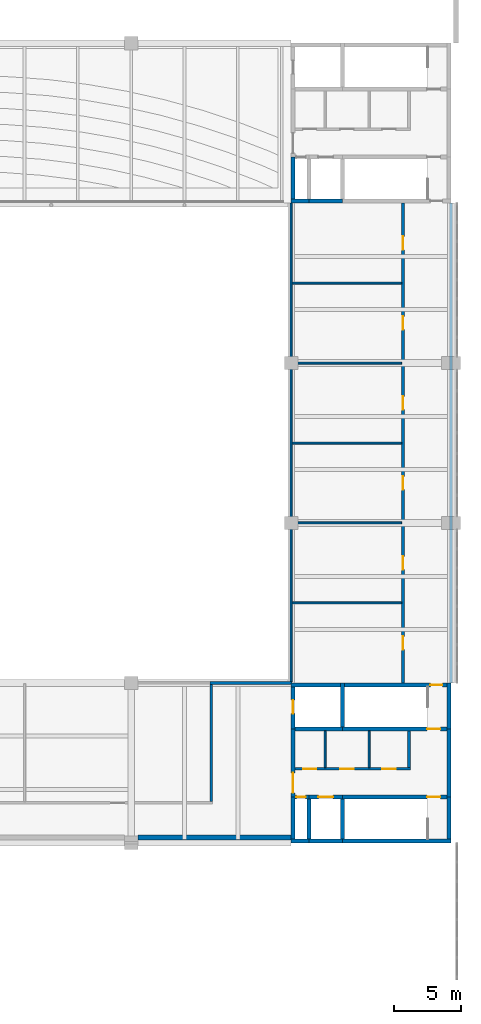
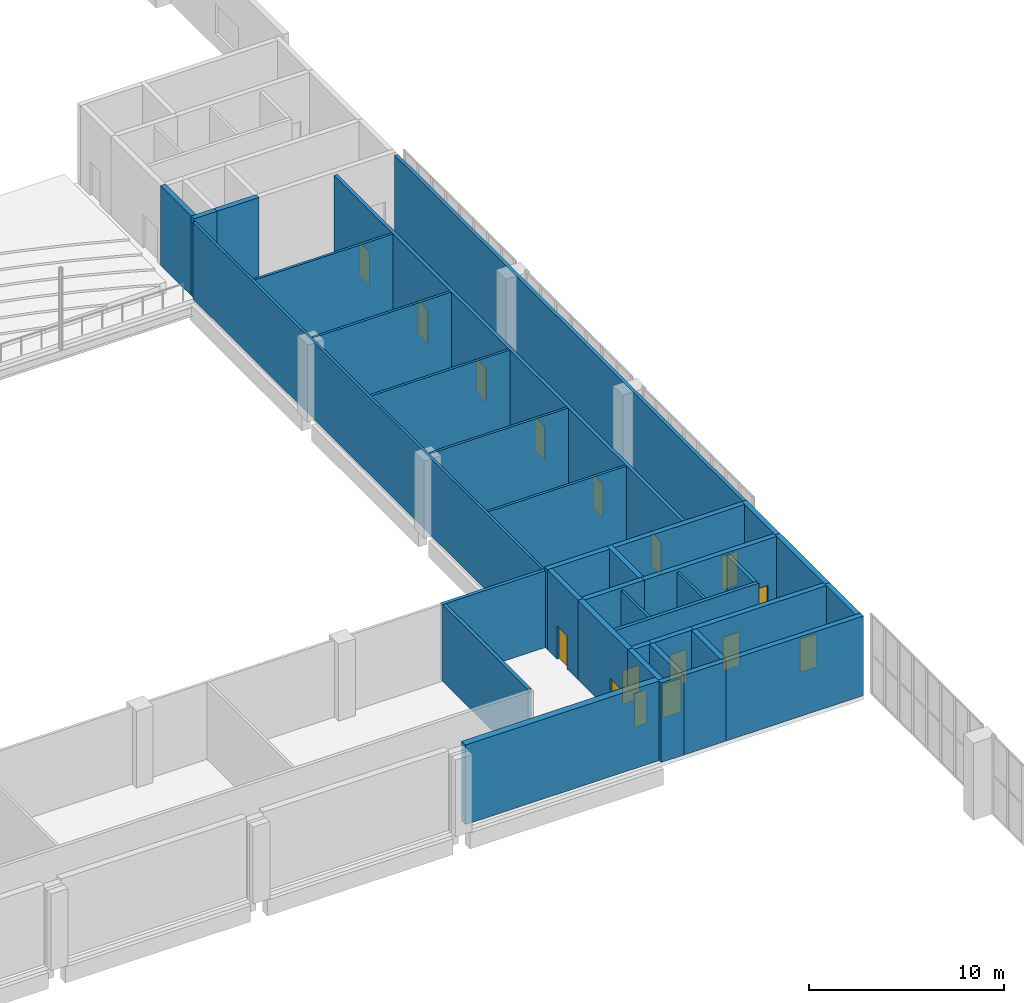
# One storey, part 56 of 69: 37 walls, 16 doors, 16 openings.
"""IFC4 building model written with IfcOpenShell, lengths in metres."""

from ifc_helpers import new_model, si_unit, direction, frame, frame_2d, origin, place, context, subcontext, project, spatial, rectangle, extrude, material, layer, layer_set, type_object, element, fill, save


model = new_model("IFC4")

# Units and contexts
model_context = context("Model", 3, precision=1e-05, world=origin(), true_north=direction((0.0, 1.0)))
body_context = subcontext(model_context, "Body", "Model", "MODEL_VIEW")
ifc_project = project(units=[si_unit("LENGTHUNIT", "METRE"), si_unit("AREAUNIT", "SQUARE_METRE"), si_unit("VOLUMEUNIT", "CUBIC_METRE"), si_unit("PLANEANGLEUNIT", "RADIAN"), si_unit("MASSUNIT", "GRAM", prefix="KILO")], contexts=[model_context])

# Site, building, storey
site_placement = place(None, origin())
site = spatial("IfcSite", under=ifc_project, at=site_placement, CompositionType="ELEMENT")
building_placement = place(site_placement, origin())
building = spatial("IfcBuilding", under=site, at=building_placement, Name="Lilac Gate Convention Centre", CompositionType="ELEMENT")
storey_placement = place(building_placement, frame((0.0, 0.0, 12.0)))
storey = spatial("IfcBuildingStorey", under=building, at=storey_placement, Name="L02", CompositionType="ELEMENT", Elevation=12.0)

# Walls
ifc_material_1 = material(Name="Concrete C30", Category="concrete")
ifc_layer_1 = layer(ifc_material_1, 0.39990234375)
ifc_layer_set_1 = layer_set([ifc_layer_1], Name="Concrete C30")
wall_type_1 = type_object("IfcWallType", Name="Hall fire wall 400", PredefinedType="SOLIDWALL", material=ifc_layer_set_1)
wall_1_placement = place(storey_placement, frame((66.5, 102.39990234375, 0.0), z_axis=(0.0, 0.0, 1.0), x_axis=(1.0, 0.0, 0.0)))
element("IfcWall", 1, at=wall_1_placement, inside=storey, type_object=wall_type_1, Name="Fire wall exhibition hall HN L02 4", PredefinedType="SOLIDWALL", context=body_context, shape_type="SweptSolid", body=[
    extrude(rectangle(XDim=11.5, YDim=0.39990234375, at=frame_2d((5.75, 0.0))), origin(), (0.0, 0.0, 1.0), 5.0),
])
ifc_material_2 = material(Name="Fire-rated gypsum board on steel stud", Category="steel")
ifc_layer_2 = layer(ifc_material_2, 0.14990234375)
ifc_layer_set_2 = layer_set([ifc_layer_2], Name="Fire-rated gypsum board on steel stud")
wall_type_2 = type_object("IfcWallType", Name="Partition 150 fire-rated gypsum board EI 60", PredefinedType="PARTITIONING", material=ifc_layer_set_2)
for number, where, z_axis, x_axis, name in (
    (2, (78.074951171875, 120.0, 0.0), (0.0, 0.0, 1.0), (1.0, 0.0, 0.0), "Partition 150 fire-rated gypsum board EI 60"),
    (3, (78.074951171875, 126.0, 0.0), (0.0, 0.0, 1.0), (1.0, 0.0, 0.0), "Partition 150 fire-rated gypsum board EI 60"),
    (4, (78.074951171875, 132.0, 0.0), (0.0, 0.0, 1.0), (1.0, 0.0, 0.0), "Partition 150 fire-rated gypsum board EI 60"),
    (5, (78.074951171875, 138.0, 0.0), (0.0, 0.0, 1.0), (1.0, 0.0, 0.0), "Partition 150 fire-rated gypsum board EI 60"),
    (6, (78.074951171875, 144.0, 0.0), (0.0, 0.0, 1.0), (1.0, 0.0, 0.0), "Partition 150 fire-rated gypsum board EI 60"),
):
    element("IfcWall", number, at=place(storey_placement, frame(where, z_axis=z_axis, x_axis=x_axis)), inside=storey, type_object=wall_type_2, Name=name, PredefinedType="PARTITIONING", context=body_context, shape_type="SweptSolid", body=[
        extrude(rectangle(XDim=8.22509765625, YDim=0.14990234375, at=frame_2d((4.112548828125, 0.0))), origin(), (0.0, 0.0, 1.0), 4.824951171875),
    ])
wall_2_placement = place(storey_placement, frame((78.0, 114.10009765625, 0.0), z_axis=(0.0, 0.0, 1.0), x_axis=(0.0, 1.0, 0.0)))
element("IfcWall", 7, at=wall_2_placement, inside=storey, type_object=wall_type_2, Name="Partition 150 fire-rated gypsum board EI 60", PredefinedType="PARTITIONING", context=body_context, shape_type="SweptSolid", body=[
    extrude(rectangle(XDim=35.89990234375, YDim=0.14990234375, at=frame_2d((17.949951171875, 0.0))), origin(), (0.0, 0.0, 1.0), 4.824951171875),
])
for number, where, z_axis, x_axis, name in (
    (8, (80.550048828125, 107.64990234375, 0.0), (0.0, 0.0, 1.0), (0.0, 1.0, 0.0), "Partition 150 fire-rated gypsum board EI 60"),
    (9, (83.85009765625, 107.64990234375, 0.0), (0.0, 0.0, 1.0), (0.0, 1.0, 0.0), "Partition 150 fire-rated gypsum board EI 60"),
):
    element("IfcWall", number, at=place(storey_placement, frame(where, z_axis=z_axis, x_axis=x_axis)), inside=storey, type_object=wall_type_2, Name=name, PredefinedType="PARTITIONING", context=body_context, shape_type="SweptSolid", body=[
        extrude(rectangle(XDim=2.75, YDim=0.14990234375, at=frame_2d((1.375, 0.0))), origin(), (0.0, 0.0, 1.0), 4.824951171875),
    ])

# Wall, openings, doors
ifc_material_3 = material(Name="Clay brick masonry", Category="masonry")
ifc_layer_3 = layer(ifc_material_3, 0.199951171875)
ifc_layer_set_3 = layer_set([ifc_layer_3], Name="Clay brick masonry")
wall_type_3 = type_object("IfcWallType", Name="Partition 200 brick EI 60", PredefinedType="PARTITIONING", material=ifc_layer_set_3)
wall_3_placement = place(storey_placement, frame((78.300048828125, 107.550048828125, 0.0), z_axis=(0.0, 0.0, 1.0), x_axis=(1.0, 0.0, 0.0)))
wall_3 = element("IfcWall", 10, at=wall_3_placement, inside=storey, type_object=wall_type_3, Name="Partition 200 brick EI 60", PredefinedType="PARTITIONING", context=body_context, shape_type="SweptSolid", body=[
    extrude(rectangle(XDim=8.64990234375, YDim=0.199951171875, at=frame_2d((4.324951171875, 0.0))), origin(), (0.0, 0.0, 1.0), 4.824951171875),
])
opening_1_placement = place(wall_3_placement, frame((0.60009765625, 0.0, 0.0)))
opening_1 = element("IfcOpeningElement", 11, at=opening_1_placement, cuts=wall_3, Name="Opening L02-033", PredefinedType="OPENING", context=body_context, shape_type="SweptSolid", body=[
    extrude(rectangle(XDim=1.0, YDim=2.10009765625, at=frame_2d((0.5, 1.050048828125))), frame((0.0, 0.10986328125, 0.0), z_axis=(0.0, -1.0, 0.0), x_axis=(1.0, 0.0, 0.0)), (0.0, 0.0, 1.0), 0.219970703125),
])
opening_2_placement = place(wall_3_placement, frame((3.39990234375, 0.0, 0.0)))
opening_2 = element("IfcOpeningElement", 12, at=opening_2_placement, cuts=wall_3, Name="Opening L02-034", PredefinedType="OPENING", context=body_context, shape_type="SweptSolid", body=[
    extrude(rectangle(XDim=1.0, YDim=2.10009765625, at=frame_2d((0.5, 1.050048828125))), frame((0.0, 0.10986328125, 0.0), z_axis=(0.0, -1.0, 0.0), x_axis=(1.0, 0.0, 0.0)), (0.0, 0.0, 1.0), 0.219970703125),
])
opening_3_placement = place(wall_3_placement, frame((6.550048828125, 0.0, 0.0)))
opening_3 = element("IfcOpeningElement", 13, at=opening_3_placement, cuts=wall_3, Name="Opening L02-035", PredefinedType="OPENING", context=body_context, shape_type="SweptSolid", body=[
    extrude(rectangle(XDim=1.0, YDim=2.10009765625, at=frame_2d((0.5, 1.050048828125))), frame((0.0, 0.10986328125, 0.0), z_axis=(0.0, -1.0, 0.0), x_axis=(1.0, 0.0, 0.0)), (0.0, 0.0, 1.0), 0.219970703125),
])
ifc_material_4 = material(Name="Timber fire door leaf", Category="wood")
door_type_1 = type_object("IfcDoorType", Name="Door 1000 x 2100 single leaf FD30", OperationType="SINGLE_SWING_LEFT", PredefinedType="DOOR", material=ifc_material_4)
door_1_placement = place(opening_1_placement, origin())
door_1 = element("IfcDoor", 14, at=door_1_placement, inside=storey, type_object=door_type_1, Name="Accessible WC door L02-033", OperationType="SINGLE_SWING_RIGHT", OverallHeight=2.10009765625, OverallWidth=1.0, PredefinedType="DOOR", context=body_context, shape_type="SweptSolid", body=[
    extrude(rectangle(XDim=1.0, YDim=2.10009765625, at=frame_2d((0.5, 1.050048828125))), frame((0.0, 0.02490234375, 0.0), z_axis=(0.0, -1.0, 0.0), x_axis=(1.0, 0.0, 0.0)), (0.0, 0.0, 1.0), 0.050048828125),
])
fill(opening_1, door_1)
door_2_placement = place(opening_2_placement, origin())
door_2 = element("IfcDoor", 15, at=door_2_placement, inside=storey, type_object=door_type_1, Name="WC door L02-034", OperationType="SINGLE_SWING_LEFT", OverallHeight=2.10009765625, OverallWidth=1.0, PredefinedType="DOOR", context=body_context, shape_type="SweptSolid", body=[
    extrude(rectangle(XDim=1.0, YDim=2.10009765625, at=frame_2d((0.5, 1.050048828125))), frame((0.0, 0.02490234375, 0.0), z_axis=(0.0, -1.0, 0.0), x_axis=(1.0, 0.0, 0.0)), (0.0, 0.0, 1.0), 0.050048828125),
])
fill(opening_2, door_2)
door_3_placement = place(opening_3_placement, origin())
door_3 = element("IfcDoor", 16, at=door_3_placement, inside=storey, type_object=door_type_1, Name="WC door L02-035", OperationType="SINGLE_SWING_RIGHT", OverallHeight=2.10009765625, OverallWidth=1.0, PredefinedType="DOOR", context=body_context, shape_type="SweptSolid", body=[
    extrude(rectangle(XDim=1.0, YDim=2.10009765625, at=frame_2d((0.5, 1.050048828125))), frame((0.0, 0.02490234375, 0.0), z_axis=(0.0, -1.0, 0.0), x_axis=(1.0, 0.0, 0.0)), (0.0, 0.0, 1.0), 0.050048828125),
])
fill(opening_3, door_3)

# Walls
wall_4_placement = place(storey_placement, frame((71.89990234375, 114.0, 0.0), z_axis=(0.0, 0.0, 1.0), x_axis=(1.0, 0.0, 0.0)))
element("IfcWall", 17, at=wall_4_placement, inside=storey, type_object=wall_type_3, Name="Partition 200 brick EI 60", PredefinedType="PARTITIONING", context=body_context, shape_type="SweptSolid", body=[
    extrude(rectangle(XDim=6.175048828125, YDim=0.199951171875, at=frame_2d((3.08740234375, 0.0))), origin(), (0.0, 0.0, 1.0), 4.824951171875),
])
wall_5_placement = place(storey_placement, frame((72.0, 105.10009765625, 0.0), z_axis=(0.0, 0.0, 1.0), x_axis=(0.0, 1.0, 0.0)))
element("IfcWall", 18, at=wall_5_placement, inside=storey, type_object=wall_type_3, Name="Partition 200 brick EI 60", PredefinedType="PARTITIONING", context=body_context, shape_type="SweptSolid", body=[
    extrude(rectangle(XDim=8.7998046875, YDim=0.199951171875, at=frame_2d((4.39990234375, 0.0))), origin(), (0.0, 0.0, 1.0), 4.824951171875),
])

# Wall, openings, doors
wall_6_placement = place(storey_placement, frame((86.39990234375, 114.0, 0.0), z_axis=(0.0, 0.0, 1.0), x_axis=(0.0, 1.0, 0.0)))
wall_6 = element("IfcWall", 19, at=wall_6_placement, inside=storey, type_object=wall_type_3, Name="Partition 200 brick EI 60", PredefinedType="PARTITIONING", context=body_context, shape_type="SweptSolid", body=[
    extrude(rectangle(XDim=36.0, YDim=0.199951171875, at=frame_2d((18.0, 0.0))), origin(), (0.0, 0.0, 1.0), 4.824951171875),
])
opening_4_placement = place(wall_6_placement, frame((2.5, 0.0, 0.0)))
opening_4 = element("IfcOpeningElement", 20, at=opening_4_placement, cuts=wall_6, Name="Opening L02-041", PredefinedType="OPENING", context=body_context, shape_type="SweptSolid", body=[
    extrude(rectangle(XDim=1.0, YDim=2.10009765625, at=frame_2d((0.5, 1.050048828125))), frame((0.0, 0.10986328125, 0.0), z_axis=(0.0, -1.0, 0.0), x_axis=(1.0, 0.0, 0.0)), (0.0, 0.0, 1.0), 0.219970703125),
])
opening_5_placement = place(wall_6_placement, frame((8.5, 0.0, 0.0)))
opening_5 = element("IfcOpeningElement", 21, at=opening_5_placement, cuts=wall_6, Name="Opening L02-043", PredefinedType="OPENING", context=body_context, shape_type="SweptSolid", body=[
    extrude(rectangle(XDim=1.0, YDim=2.10009765625, at=frame_2d((0.5, 1.050048828125))), frame((0.0, 0.10986328125, 0.0), z_axis=(0.0, -1.0, 0.0), x_axis=(1.0, 0.0, 0.0)), (0.0, 0.0, 1.0), 0.219970703125),
])
opening_6_placement = place(wall_6_placement, frame((14.5, 0.0, 0.0)))
opening_6 = element("IfcOpeningElement", 22, at=opening_6_placement, cuts=wall_6, Name="Opening L02-045", PredefinedType="OPENING", context=body_context, shape_type="SweptSolid", body=[
    extrude(rectangle(XDim=1.0, YDim=2.10009765625, at=frame_2d((0.5, 1.050048828125))), frame((0.0, 0.10986328125, 0.0), z_axis=(0.0, -1.0, 0.0), x_axis=(1.0, 0.0, 0.0)), (0.0, 0.0, 1.0), 0.219970703125),
])
opening_7_placement = place(wall_6_placement, frame((20.5, 0.0, 0.0)))
opening_7 = element("IfcOpeningElement", 23, at=opening_7_placement, cuts=wall_6, Name="Opening L02-047", PredefinedType="OPENING", context=body_context, shape_type="SweptSolid", body=[
    extrude(rectangle(XDim=1.0, YDim=2.10009765625, at=frame_2d((0.5, 1.050048828125))), frame((0.0, 0.10986328125, 0.0), z_axis=(0.0, -1.0, 0.0), x_axis=(1.0, 0.0, 0.0)), (0.0, 0.0, 1.0), 0.219970703125),
])
opening_8_placement = place(wall_6_placement, frame((26.5, 0.0, 0.0)))
opening_8 = element("IfcOpeningElement", 24, at=opening_8_placement, cuts=wall_6, Name="Opening L02-049", PredefinedType="OPENING", context=body_context, shape_type="SweptSolid", body=[
    extrude(rectangle(XDim=1.0, YDim=2.10009765625, at=frame_2d((0.5, 1.050048828125))), frame((0.0, 0.10986328125, 0.0), z_axis=(0.0, -1.0, 0.0), x_axis=(1.0, 0.0, 0.0)), (0.0, 0.0, 1.0), 0.219970703125),
])
opening_9_placement = place(wall_6_placement, frame((32.5, 0.0, 0.0)))
opening_9 = element("IfcOpeningElement", 25, at=opening_9_placement, cuts=wall_6, Name="Opening L02-051", PredefinedType="OPENING", context=body_context, shape_type="SweptSolid", body=[
    extrude(rectangle(XDim=1.0, YDim=2.10009765625, at=frame_2d((0.5, 1.050048828125))), frame((0.0, 0.10986328125, 0.0), z_axis=(0.0, -1.0, 0.0), x_axis=(1.0, 0.0, 0.0)), (0.0, 0.0, 1.0), 0.219970703125),
])
door_4_placement = place(opening_4_placement, origin())
door_4 = element("IfcDoor", 26, at=door_4_placement, inside=storey, type_object=door_type_1, Name="Office door L02-041", OperationType="SINGLE_SWING_RIGHT", OverallHeight=2.10009765625, OverallWidth=1.0, PredefinedType="DOOR", context=body_context, shape_type="SweptSolid", body=[
    extrude(rectangle(XDim=1.0, YDim=2.10009765625, at=frame_2d((0.5, 1.050048828125))), frame((0.0, 0.02490234375, 0.0), z_axis=(0.0, -1.0, 0.0), x_axis=(1.0, 0.0, 0.0)), (0.0, 0.0, 1.0), 0.050048828125),
])
fill(opening_4, door_4)
door_5_placement = place(opening_5_placement, origin())
door_5 = element("IfcDoor", 27, at=door_5_placement, inside=storey, type_object=door_type_1, Name="Office door L02-043", OperationType="SINGLE_SWING_RIGHT", OverallHeight=2.10009765625, OverallWidth=1.0, PredefinedType="DOOR", context=body_context, shape_type="SweptSolid", body=[
    extrude(rectangle(XDim=1.0, YDim=2.10009765625, at=frame_2d((0.5, 1.050048828125))), frame((0.0, 0.02490234375, 0.0), z_axis=(0.0, -1.0, 0.0), x_axis=(1.0, 0.0, 0.0)), (0.0, 0.0, 1.0), 0.050048828125),
])
fill(opening_5, door_5)
door_6_placement = place(opening_6_placement, origin())
door_6 = element("IfcDoor", 28, at=door_6_placement, inside=storey, type_object=door_type_1, Name="Office door L02-045", OperationType="SINGLE_SWING_RIGHT", OverallHeight=2.10009765625, OverallWidth=1.0, PredefinedType="DOOR", context=body_context, shape_type="SweptSolid", body=[
    extrude(rectangle(XDim=1.0, YDim=2.10009765625, at=frame_2d((0.5, 1.050048828125))), frame((0.0, 0.02490234375, 0.0), z_axis=(0.0, -1.0, 0.0), x_axis=(1.0, 0.0, 0.0)), (0.0, 0.0, 1.0), 0.050048828125),
])
fill(opening_6, door_6)
door_7_placement = place(opening_7_placement, origin())
door_7 = element("IfcDoor", 29, at=door_7_placement, inside=storey, type_object=door_type_1, Name="Office door L02-047", OperationType="SINGLE_SWING_RIGHT", OverallHeight=2.10009765625, OverallWidth=1.0, PredefinedType="DOOR", context=body_context, shape_type="SweptSolid", body=[
    extrude(rectangle(XDim=1.0, YDim=2.10009765625, at=frame_2d((0.5, 1.050048828125))), frame((0.0, 0.02490234375, 0.0), z_axis=(0.0, -1.0, 0.0), x_axis=(1.0, 0.0, 0.0)), (0.0, 0.0, 1.0), 0.050048828125),
])
fill(opening_7, door_7)
door_8_placement = place(opening_8_placement, origin())
door_8 = element("IfcDoor", 30, at=door_8_placement, inside=storey, type_object=door_type_1, Name="Office door L02-049", OperationType="SINGLE_SWING_RIGHT", OverallHeight=2.10009765625, OverallWidth=1.0, PredefinedType="DOOR", context=body_context, shape_type="SweptSolid", body=[
    extrude(rectangle(XDim=1.0, YDim=2.10009765625, at=frame_2d((0.5, 1.050048828125))), frame((0.0, 0.02490234375, 0.0), z_axis=(0.0, -1.0, 0.0), x_axis=(1.0, 0.0, 0.0)), (0.0, 0.0, 1.0), 0.050048828125),
])
fill(opening_8, door_8)
door_9_placement = place(opening_9_placement, origin())
door_9 = element("IfcDoor", 31, at=door_9_placement, inside=storey, type_object=door_type_1, Name="Office door L02-051", OperationType="SINGLE_SWING_RIGHT", OverallHeight=2.10009765625, OverallWidth=1.0, PredefinedType="DOOR", context=body_context, shape_type="SweptSolid", body=[
    extrude(rectangle(XDim=1.0, YDim=2.10009765625, at=frame_2d((0.5, 1.050048828125))), frame((0.0, 0.02490234375, 0.0), z_axis=(0.0, -1.0, 0.0), x_axis=(1.0, 0.0, 0.0)), (0.0, 0.0, 1.0), 0.050048828125),
])
fill(opening_9, door_9)

# Walls
wall_7_placement = place(storey_placement, frame((86.85009765625, 107.64990234375, 0.0), z_axis=(0.0, 0.0, 1.0), x_axis=(0.0, 1.0, 0.0)))
element("IfcWall", 32, at=wall_7_placement, inside=storey, type_object=wall_type_3, Name="Partition 200 brick EI 60", PredefinedType="PARTITIONING", context=body_context, shape_type="SweptSolid", body=[
    extrude(rectangle(XDim=2.75, YDim=0.199951171875, at=frame_2d((1.375, 0.0))), origin(), (0.0, 0.0, 1.0), 4.824951171875),
])
wall_8_placement = place(storey_placement, frame((90.0, 114.0, 0.0), z_axis=(0.0, 0.0, 1.0), x_axis=(0.0, 1.0, 0.0)))
element("IfcWall", 33, at=wall_8_placement, inside=storey, type_object=wall_type_3, Name="Partition 200 brick EI 60", PredefinedType="PARTITIONING", context=body_context, shape_type="SweptSolid", body=[
    extrude(rectangle(XDim=36.0, YDim=0.199951171875, at=frame_2d((18.0, 0.0))), origin(), (0.0, 0.0, 1.0), 4.824951171875),
])
ifc_material_5 = material(Name="Concrete C40", Category="concrete")
ifc_layer_4 = layer(ifc_material_5, 0.300048828125)
ifc_layer_set_4 = layer_set([ifc_layer_4], Name="Concrete C40")
wall_type_4 = type_object("IfcWallType", Name="Shear wall 300 C40", PredefinedType="SHEAR", material=ifc_layer_set_4)
wall_9_placement = place(storey_placement, frame((90.0, 102.14990234375, 0.0), z_axis=(0.0, 0.0, 1.0), x_axis=(-1.0, 0.0, 0.0)))
element("IfcWall", 34, at=wall_9_placement, inside=storey, type_object=wall_type_4, Name="SW1 shear wall E1 L02 1", PredefinedType="SHEAR", context=body_context, shape_type="SweptSolid", body=[
    extrude(rectangle(XDim=8.14990234375, YDim=0.300048828125, at=frame_2d((4.074951171875, 0.0))), origin(), (0.0, 0.0, 1.0), 5.0),
])
wall_10_placement = place(storey_placement, frame((81.85009765625, 102.14990234375, 0.0), z_axis=(0.0, 0.0, 1.0), x_axis=(-1.0, 0.0, 0.0)))
element("IfcWall", 35, at=wall_10_placement, inside=storey, type_object=wall_type_4, Name="SW1 shear wall E1 L02 2", PredefinedType="SHEAR", context=body_context, shape_type="SweptSolid", body=[
    extrude(rectangle(XDim=2.5, YDim=0.300048828125, at=frame_2d((1.25, 0.0))), origin(), (0.0, 0.0, 1.0), 5.0),
])
wall_11_placement = place(storey_placement, frame((79.35009765625, 102.14990234375, 0.0), z_axis=(0.0, 0.0, 1.0), x_axis=(-1.0, 0.0, 0.0)))
element("IfcWall", 36, at=wall_11_placement, inside=storey, type_object=wall_type_4, Name="SW1 shear wall E1 L02 3", PredefinedType="SHEAR", context=body_context, shape_type="SweptSolid", body=[
    extrude(rectangle(XDim=1.35009765625, YDim=0.300048828125, at=frame_2d((0.675048828125, 0.0))), origin(), (0.0, 0.0, 1.0), 5.0),
])

# Wall, opening, door
wall_12_placement = place(storey_placement, frame((90.0, 113.85009765625, 0.0), z_axis=(0.0, 0.0, 1.0), x_axis=(-1.0, 0.0, 0.0)))
wall_12 = element("IfcWall", 37, at=wall_12_placement, inside=storey, type_object=wall_type_4, Name="SW1 shear wall E1 L02 4", PredefinedType="SHEAR", context=body_context, shape_type="SweptSolid", body=[
    extrude(rectangle(XDim=8.14990234375, YDim=0.300048828125, at=frame_2d((4.074951171875, 0.0))), origin(), (0.0, 0.0, 1.0), 5.0),
])
opening_10_placement = place(wall_12_placement, frame((0.64990234375, 0.0, 0.0)))
opening_10 = element("IfcOpeningElement", 38, at=opening_10_placement, cuts=wall_12, Name="Opening L02-039", PredefinedType="OPENING", context=body_context, shape_type="SweptSolid", body=[
    extrude(rectangle(XDim=0.89990234375, YDim=2.10009765625, at=frame_2d((0.449951171875, 1.050048828125))), frame((0.0, 0.159912109375, 0.0), z_axis=(0.0, -1.0, 0.0), x_axis=(1.0, 0.0, 0.0)), (0.0, 0.0, 1.0), 0.320068359375),
])
door_type_2 = type_object("IfcDoorType", Name="Door 900 x 2100 single leaf FD60", OperationType="SINGLE_SWING_LEFT", PredefinedType="DOOR", material=ifc_material_4)
door_10_placement = place(opening_10_placement, origin())
door_10 = element("IfcDoor", 39, at=door_10_placement, inside=storey, type_object=door_type_2, Name="Stair door L02-039", OperationType="SINGLE_SWING_RIGHT", OverallHeight=2.10009765625, OverallWidth=0.89990234375, PredefinedType="DOOR", context=body_context, shape_type="SweptSolid", body=[
    extrude(rectangle(XDim=0.89990234375, YDim=2.10009765625, at=frame_2d((0.449951171875, 1.050048828125))), frame((0.0, 0.02490234375, 0.0), z_axis=(0.0, -1.0, 0.0), x_axis=(1.0, 0.0, 0.0)), (0.0, 0.0, 1.0), 0.050048828125),
])
fill(opening_10, door_10)

# Wall
wall_13_placement = place(storey_placement, frame((81.85009765625, 113.85009765625, 0.0), z_axis=(0.0, 0.0, 1.0), x_axis=(-1.0, 0.0, 0.0)))
element("IfcWall", 40, at=wall_13_placement, inside=storey, type_object=wall_type_4, Name="SW1 shear wall E1 L02 5", PredefinedType="SHEAR", context=body_context, shape_type="SweptSolid", body=[
    extrude(rectangle(XDim=3.85009765625, YDim=0.300048828125, at=frame_2d((1.925048828125, 0.0))), origin(), (0.0, 0.0, 1.0), 5.0),
])

# Wall, opening, door
wall_14_placement = place(storey_placement, frame((89.699951171875, 105.449951171875, 0.0), z_axis=(0.0, 0.0, 1.0), x_axis=(-1.0, 0.0, 0.0)))
wall_14 = element("IfcWall", 41, at=wall_14_placement, inside=storey, type_object=wall_type_4, Name="SW1 shear wall E1 L02 6", PredefinedType="SHEAR", context=body_context, shape_type="SweptSolid", body=[
    extrude(rectangle(XDim=7.849853515625, YDim=0.300048828125, at=frame_2d((3.9248046875, 0.0))), origin(), (0.0, 0.0, 1.0), 5.0),
])
opening_11_placement = place(wall_14_placement, frame((0.5, 0.0, 0.0)))
opening_11 = element("IfcOpeningElement", 42, at=opening_11_placement, cuts=wall_14, Name="Opening L02-031", PredefinedType="OPENING", context=body_context, shape_type="SweptSolid", body=[
    extrude(rectangle(XDim=1.0, YDim=2.10009765625, at=frame_2d((0.5, 1.050048828125))), frame((0.0, 0.159912109375, 0.0), z_axis=(0.0, -1.0, 0.0), x_axis=(1.0, 0.0, 0.0)), (0.0, 0.0, 1.0), 0.320068359375),
])
door_type_3 = type_object("IfcDoorType", Name="Door 1000 x 2100 single leaf FD60", OperationType="SINGLE_SWING_LEFT", PredefinedType="DOOR", material=ifc_material_4)
door_11_placement = place(opening_11_placement, origin())
door_11 = element("IfcDoor", 43, at=door_11_placement, inside=storey, type_object=door_type_3, Name="Stair door L02-031", OperationType="SINGLE_SWING_RIGHT", OverallHeight=2.10009765625, OverallWidth=1.0, PredefinedType="DOOR", context=body_context, shape_type="SweptSolid", body=[
    extrude(rectangle(XDim=1.0, YDim=2.10009765625, at=frame_2d((0.5, 1.050048828125))), frame((0.0, 0.02490234375, 0.0), z_axis=(0.0, -1.0, 0.0), x_axis=(1.0, 0.0, 0.0)), (0.0, 0.0, 1.0), 0.050048828125),
])
fill(opening_11, door_11)

wall_15_placement = place(storey_placement, frame((81.85009765625, 105.449951171875, 0.0), z_axis=(0.0, 0.0, 1.0), x_axis=(-1.0, 0.0, 0.0)))
wall_15 = element("IfcWall", 44, at=wall_15_placement, inside=storey, type_object=wall_type_4, Name="SW1 shear wall E1 L02 7", PredefinedType="SHEAR", context=body_context, shape_type="SweptSolid", body=[
    extrude(rectangle(XDim=2.5, YDim=0.300048828125, at=frame_2d((1.25, 0.0))), origin(), (0.0, 0.0, 1.0), 5.0),
])
opening_12_placement = place(wall_15_placement, frame((0.699951171875, 0.0, 0.0)))
opening_12 = element("IfcOpeningElement", 45, at=opening_12_placement, cuts=wall_15, Name="Opening LDE1-02", PredefinedType="OPENING", context=body_context, shape_type="SweptSolid", body=[
    extrude(rectangle(XDim=1.10009765625, YDim=2.10009765625, at=frame_2d((0.550048828125, 1.050048828125))), frame((0.0, 0.159912109375, 0.0), z_axis=(0.0, -1.0, 0.0), x_axis=(1.0, 0.0, 0.0)), (0.0, 0.0, 1.0), 0.320068359375),
])
ifc_material_6 = material(Name="Stainless steel 304", Category="steel")
door_type_4 = type_object("IfcDoorType", Name="Lift landing door 1100 x 2100", OperationType="SLIDING_TO_LEFT", PredefinedType="DOOR", material=ifc_material_6)
door_12_placement = place(opening_12_placement, origin())
door_12 = element("IfcDoor", 46, at=door_12_placement, inside=storey, type_object=door_type_4, Name="Lift landing door LDE1-02", OperationType="SLIDING_TO_LEFT", OverallHeight=2.10009765625, OverallWidth=1.10009765625, PredefinedType="DOOR", context=body_context, shape_type="SweptSolid", body=[
    extrude(rectangle(XDim=1.10009765625, YDim=2.10009765625, at=frame_2d((0.550048828125, 1.050048828125))), frame((0.0, 0.02490234375, 0.0), z_axis=(0.0, -1.0, 0.0), x_axis=(1.0, 0.0, 0.0)), (0.0, 0.0, 1.0), 0.050048828125),
])
fill(opening_12, door_12)

wall_16_placement = place(storey_placement, frame((79.35009765625, 105.449951171875, 0.0), z_axis=(0.0, 0.0, 1.0), x_axis=(-1.0, 0.0, 0.0)))
wall_16 = element("IfcWall", 47, at=wall_16_placement, inside=storey, type_object=wall_type_4, Name="SW1 shear wall E1 L02 8", PredefinedType="SHEAR", context=body_context, shape_type="SweptSolid", body=[
    extrude(rectangle(XDim=1.050048828125, YDim=0.300048828125, at=frame_2d((0.52490234375, 0.0))), origin(), (0.0, 0.0, 1.0), 5.0),
])
opening_13_placement = place(wall_16_placement, frame((0.25, 0.0, 0.0)))
opening_13 = element("IfcOpeningElement", 48, at=opening_13_placement, cuts=wall_16, Name="Opening L02-030", PredefinedType="OPENING", context=body_context, shape_type="SweptSolid", body=[
    extrude(rectangle(XDim=0.699951171875, YDim=2.10009765625, at=frame_2d((0.35009765625, 1.050048828125))), frame((0.0, 0.159912109375, 0.0), z_axis=(0.0, -1.0, 0.0), x_axis=(1.0, 0.0, 0.0)), (0.0, 0.0, 1.0), 0.320068359375),
])
door_type_5 = type_object("IfcDoorType", Name="Door 700 x 2100 single leaf FD30", OperationType="SINGLE_SWING_LEFT", PredefinedType="DOOR", material=ifc_material_4)
door_13_placement = place(opening_13_placement, origin())
door_13 = element("IfcDoor", 49, at=door_13_placement, inside=storey, type_object=door_type_5, Name="Riser access door L02-030", OperationType="SINGLE_SWING_LEFT", OverallHeight=2.10009765625, OverallWidth=0.699951171875, PredefinedType="DOOR", context=body_context, shape_type="SweptSolid", body=[
    extrude(rectangle(XDim=0.699951171875, YDim=2.10009765625, at=frame_2d((0.35009765625, 1.050048828125))), frame((0.0, 0.02490234375, 0.0), z_axis=(0.0, -1.0, 0.0), x_axis=(1.0, 0.0, 0.0)), (0.0, 0.0, 1.0), 0.050048828125),
])
fill(opening_13, door_13)

wall_17_placement = place(storey_placement, frame((89.699951171875, 110.550048828125, 0.0), z_axis=(0.0, 0.0, 1.0), x_axis=(-1.0, 0.0, 0.0)))
wall_17 = element("IfcWall", 50, at=wall_17_placement, inside=storey, type_object=wall_type_4, Name="SW1 shear wall E1 L02 9", PredefinedType="SHEAR", context=body_context, shape_type="SweptSolid", body=[
    extrude(rectangle(XDim=7.849853515625, YDim=0.300048828125, at=frame_2d((3.9248046875, 0.0))), origin(), (0.0, 0.0, 1.0), 5.0),
])
opening_14_placement = place(wall_17_placement, frame((0.5, 0.0, 0.0)))
opening_14 = element("IfcOpeningElement", 51, at=opening_14_placement, cuts=wall_17, Name="Opening L02-036", PredefinedType="OPENING", context=body_context, shape_type="SweptSolid", body=[
    extrude(rectangle(XDim=1.0, YDim=2.10009765625, at=frame_2d((0.5, 1.050048828125))), frame((0.0, 0.159912109375, 0.0), z_axis=(0.0, -1.0, 0.0), x_axis=(1.0, 0.0, 0.0)), (0.0, 0.0, 1.0), 0.320068359375),
])
door_14_placement = place(opening_14_placement, frame((1.0, 0.0, 0.0), z_axis=(0.0, 0.0, 1.0), x_axis=(-1.0, 0.0, 0.0)))
door_14 = element("IfcDoor", 52, at=door_14_placement, inside=storey, type_object=door_type_3, Name="Stair door L02-036", OperationType="SINGLE_SWING_LEFT", OverallHeight=2.10009765625, OverallWidth=1.0, PredefinedType="DOOR", context=body_context, shape_type="SweptSolid", body=[
    extrude(rectangle(XDim=1.0, YDim=2.10009765625, at=frame_2d((0.5, 1.050048828125))), frame((0.0, 0.02490234375, 0.0), z_axis=(0.0, -1.0, 0.0), x_axis=(1.0, 0.0, 0.0)), (0.0, 0.0, 1.0), 0.050048828125),
])
fill(opening_14, door_14)

# Walls
wall_18_placement = place(storey_placement, frame((81.85009765625, 110.550048828125, 0.0), z_axis=(0.0, 0.0, 1.0), x_axis=(-1.0, 0.0, 0.0)))
element("IfcWall", 53, at=wall_18_placement, inside=storey, type_object=wall_type_4, Name="SW1 shear wall E1 L02 10", PredefinedType="SHEAR", context=body_context, shape_type="SweptSolid", body=[
    extrude(rectangle(XDim=3.550048828125, YDim=0.300048828125, at=frame_2d((1.77490234375, 0.0))), origin(), (0.0, 0.0, 1.0), 5.0),
])
wall_19_placement = place(storey_placement, frame((89.85009765625, 102.300048828125, 0.0), z_axis=(0.0, 0.0, 1.0), x_axis=(0.0, 1.0, 0.0)))
element("IfcWall", 54, at=wall_19_placement, inside=storey, type_object=wall_type_4, Name="SW1 shear wall E1 L02 11", PredefinedType="SHEAR", context=body_context, shape_type="SweptSolid", body=[
    extrude(rectangle(XDim=3.14990234375, YDim=0.300048828125, at=frame_2d((1.574951171875, 0.0))), origin(), (0.0, 0.0, 1.0), 5.0),
])
wall_20_placement = place(storey_placement, frame((89.85009765625, 105.449951171875, 0.0), z_axis=(0.0, 0.0, 1.0), x_axis=(0.0, 1.0, 0.0)))
element("IfcWall", 55, at=wall_20_placement, inside=storey, type_object=wall_type_4, Name="SW1 shear wall E1 L02 12", PredefinedType="SHEAR", context=body_context, shape_type="SweptSolid", body=[
    extrude(rectangle(XDim=5.10009765625, YDim=0.300048828125, at=frame_2d((2.550048828125, 0.0))), origin(), (0.0, 0.0, 1.0), 5.0),
])
wall_21_placement = place(storey_placement, frame((89.85009765625, 110.550048828125, 0.0), z_axis=(0.0, 0.0, 1.0), x_axis=(0.0, 1.0, 0.0)))
element("IfcWall", 56, at=wall_21_placement, inside=storey, type_object=wall_type_4, Name="SW1 shear wall E1 L02 13", PredefinedType="SHEAR", context=body_context, shape_type="SweptSolid", body=[
    extrude(rectangle(XDim=3.449951171875, YDim=0.300048828125, at=frame_2d((1.72509765625, 0.0))), origin(), (0.0, 0.0, 1.0), 5.0),
])
wall_22_placement = place(storey_placement, frame((78.14990234375, 102.300048828125, 0.0), z_axis=(0.0, 0.0, 1.0), x_axis=(0.0, 1.0, 0.0)))
element("IfcWall", 57, at=wall_22_placement, inside=storey, type_object=wall_type_4, Name="SW1 shear wall E1 L02 14", PredefinedType="SHEAR", context=body_context, shape_type="SweptSolid", body=[
    extrude(rectangle(XDim=3.14990234375, YDim=0.300048828125, at=frame_2d((1.574951171875, 0.0))), origin(), (0.0, 0.0, 1.0), 5.0),
])

# Wall, opening, door
wall_23_placement = place(storey_placement, frame((78.14990234375, 105.449951171875, 0.0), z_axis=(0.0, 0.0, 1.0), x_axis=(0.0, 1.0, 0.0)))
wall_23 = element("IfcWall", 58, at=wall_23_placement, inside=storey, type_object=wall_type_4, Name="SW1 shear wall E1 L02 15", PredefinedType="SHEAR", context=body_context, shape_type="SweptSolid", body=[
    extrude(rectangle(XDim=5.10009765625, YDim=0.300048828125, at=frame_2d((2.550048828125, 0.0))), origin(), (0.0, 0.0, 1.0), 5.0),
])
opening_15_placement = place(wall_23_placement, frame((0.300048828125, 0.0, 0.0)))
opening_15 = element("IfcOpeningElement", 59, at=opening_15_placement, cuts=wall_23, Name="Opening L02-032", PredefinedType="OPENING", context=body_context, shape_type="SweptSolid", body=[
    extrude(rectangle(XDim=1.5, YDim=2.10009765625, at=frame_2d((0.75, 1.050048828125))), frame((0.0, 0.159912109375, 0.0), z_axis=(0.0, -1.0, 0.0), x_axis=(1.0, 0.0, 0.0)), (0.0, 0.0, 1.0), 0.320068359375),
])
door_type_6 = type_object("IfcDoorType", Name="Door 1500 x 2100 double leaf FD30", OperationType="DOUBLE_DOOR_SINGLE_SWING", PredefinedType="DOOR", material=ifc_material_4)
door_15_placement = place(opening_15_placement, frame((1.5, 0.0, 0.0), z_axis=(0.0, 0.0, 1.0), x_axis=(-1.0, 0.0, 0.0)))
door_15 = element("IfcDoor", 60, at=door_15_placement, inside=storey, type_object=door_type_6, Name="Lobby door L02-032", OperationType="DOUBLE_DOOR_SINGLE_SWING", OverallHeight=2.10009765625, OverallWidth=1.5, PredefinedType="DOOR", context=body_context, shape_type="SweptSolid", body=[
    extrude(rectangle(XDim=1.5, YDim=2.10009765625, at=frame_2d((0.75, 1.050048828125))), frame((0.0, 0.02490234375, 0.0), z_axis=(0.0, -1.0, 0.0), x_axis=(1.0, 0.0, 0.0)), (0.0, 0.0, 1.0), 0.050048828125),
])
fill(opening_15, door_15)

wall_24_placement = place(storey_placement, frame((78.14990234375, 110.550048828125, 0.0), z_axis=(0.0, 0.0, 1.0), x_axis=(0.0, 1.0, 0.0)))
wall_24 = element("IfcWall", 61, at=wall_24_placement, inside=storey, type_object=wall_type_4, Name="SW1 shear wall E1 L02 16", PredefinedType="SHEAR", context=body_context, shape_type="SweptSolid", body=[
    extrude(rectangle(XDim=3.14990234375, YDim=0.300048828125, at=frame_2d((1.574951171875, 0.0))), origin(), (0.0, 0.0, 1.0), 5.0),
])
opening_16_placement = place(wall_24_placement, frame((1.14990234375, 0.0, 0.0)))
opening_16 = element("IfcOpeningElement", 62, at=opening_16_placement, cuts=wall_24, Name="Opening L02-038", PredefinedType="OPENING", context=body_context, shape_type="SweptSolid", body=[
    extrude(rectangle(XDim=1.0, YDim=2.10009765625, at=frame_2d((0.5, 1.050048828125))), frame((0.0, 0.159912109375, 0.0), z_axis=(0.0, -1.0, 0.0), x_axis=(1.0, 0.0, 0.0)), (0.0, 0.0, 1.0), 0.320068359375),
])
door_16_placement = place(opening_16_placement, frame((1.0, 0.0, 0.0), z_axis=(0.0, 0.0, 1.0), x_axis=(-1.0, 0.0, 0.0)))
door_16 = element("IfcDoor", 63, at=door_16_placement, inside=storey, type_object=door_type_1, Name="Riser access door L02-038", OperationType="SINGLE_SWING_LEFT", OverallHeight=2.10009765625, OverallWidth=1.0, PredefinedType="DOOR", context=body_context, shape_type="SweptSolid", body=[
    extrude(rectangle(XDim=1.0, YDim=2.10009765625, at=frame_2d((0.5, 1.050048828125))), frame((0.0, 0.02490234375, 0.0), z_axis=(0.0, -1.0, 0.0), x_axis=(1.0, 0.0, 0.0)), (0.0, 0.0, 1.0), 0.050048828125),
])
fill(opening_16, door_16)

# Walls
wall_25_placement = place(storey_placement, frame((81.85009765625, 102.300048828125, 0.0), z_axis=(0.0, 0.0, 1.0), x_axis=(0.0, 1.0, 0.0)))
element("IfcWall", 64, at=wall_25_placement, inside=storey, type_object=wall_type_4, Name="SW1 shear wall E1 L02 17", PredefinedType="SHEAR", context=body_context, shape_type="SweptSolid", body=[
    extrude(rectangle(XDim=3.0, YDim=0.300048828125, at=frame_2d((1.5, 0.0))), origin(), (0.0, 0.0, 1.0), 5.0),
])
wall_26_placement = place(storey_placement, frame((81.85009765625, 110.699951171875, 0.0), z_axis=(0.0, 0.0, 1.0), x_axis=(0.0, 1.0, 0.0)))
element("IfcWall", 65, at=wall_26_placement, inside=storey, type_object=wall_type_4, Name="SW1 shear wall E1 L02 18", PredefinedType="SHEAR", context=body_context, shape_type="SweptSolid", body=[
    extrude(rectangle(XDim=3.300048828125, YDim=0.300048828125, at=frame_2d((1.64990234375, 0.0))), origin(), (0.0, 0.0, 1.0), 5.0),
])
wall_27_placement = place(storey_placement, frame((79.35009765625, 102.300048828125, 0.0), z_axis=(0.0, 0.0, 1.0), x_axis=(0.0, 1.0, 0.0)))
element("IfcWall", 66, at=wall_27_placement, inside=storey, type_object=wall_type_4, Name="SW1 shear wall E1 L02 19", PredefinedType="SHEAR", context=body_context, shape_type="SweptSolid", body=[
    extrude(rectangle(XDim=3.0, YDim=0.300048828125, at=frame_2d((1.5, 0.0))), origin(), (0.0, 0.0, 1.0), 5.0),
])
wall_28_placement = place(storey_placement, frame((81.85009765625, 150.14990234375, 0.0), z_axis=(0.0, 0.0, 1.0), x_axis=(-1.0, 0.0, 0.0)))
element("IfcWall", 67, at=wall_28_placement, inside=storey, type_object=wall_type_4, Name="SW1 shear wall E2 L02 2", PredefinedType="SHEAR", context=body_context, shape_type="SweptSolid", body=[
    extrude(rectangle(XDim=2.5, YDim=0.300048828125, at=frame_2d((1.25, 0.0))), origin(), (0.0, 0.0, 1.0), 5.0),
])
wall_29_placement = place(storey_placement, frame((79.35009765625, 150.14990234375, 0.0), z_axis=(0.0, 0.0, 1.0), x_axis=(-1.0, 0.0, 0.0)))
element("IfcWall", 68, at=wall_29_placement, inside=storey, type_object=wall_type_4, Name="SW1 shear wall E2 L02 3", PredefinedType="SHEAR", context=body_context, shape_type="SweptSolid", body=[
    extrude(rectangle(XDim=1.35009765625, YDim=0.300048828125, at=frame_2d((0.675048828125, 0.0))), origin(), (0.0, 0.0, 1.0), 5.0),
])
wall_30_placement = place(storey_placement, frame((78.14990234375, 150.300048828125, 0.0), z_axis=(0.0, 0.0, 1.0), x_axis=(0.0, 1.0, 0.0)))
element("IfcWall", 69, at=wall_30_placement, inside=storey, type_object=wall_type_4, Name="SW1 shear wall E2 L02 14", PredefinedType="SHEAR", context=body_context, shape_type="SweptSolid", body=[
    extrude(rectangle(XDim=3.14990234375, YDim=0.300048828125, at=frame_2d((1.574951171875, 0.0))), origin(), (0.0, 0.0, 1.0), 5.0),
])

save(model, "model.ifc")
